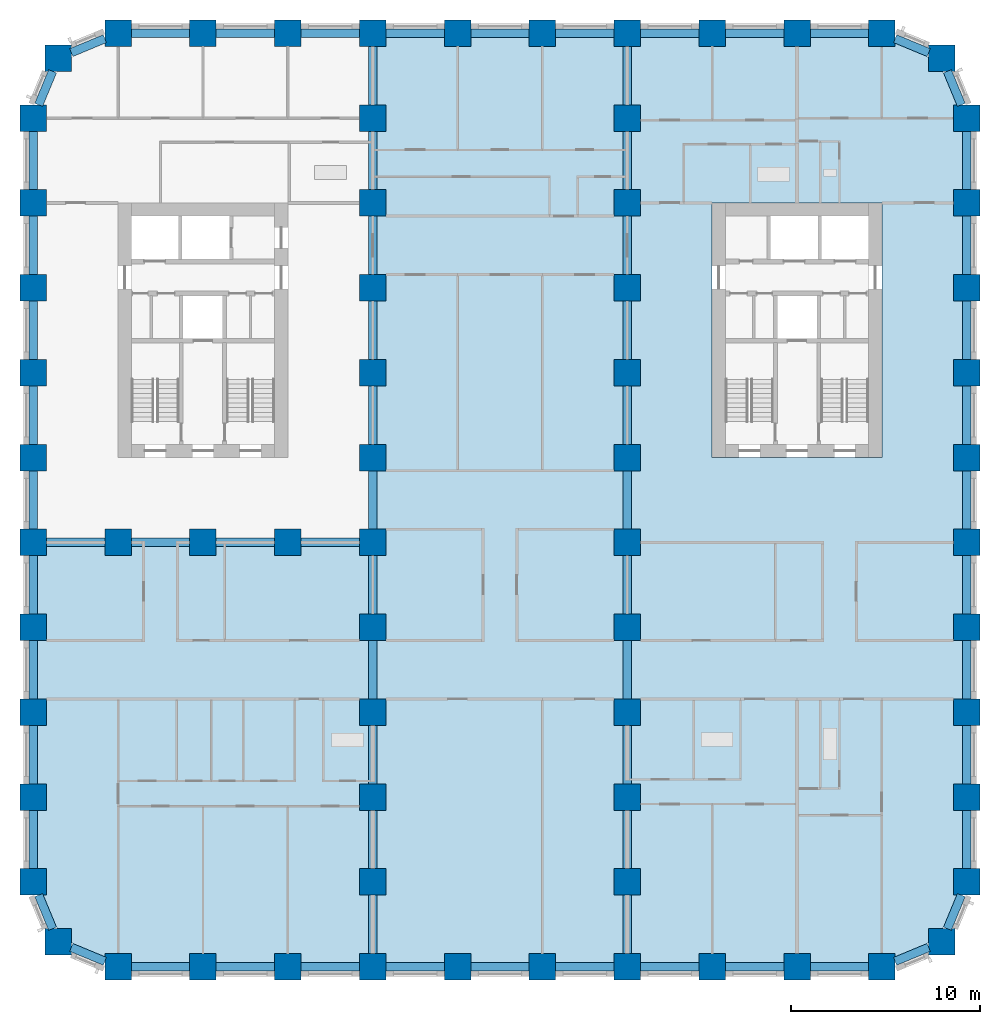
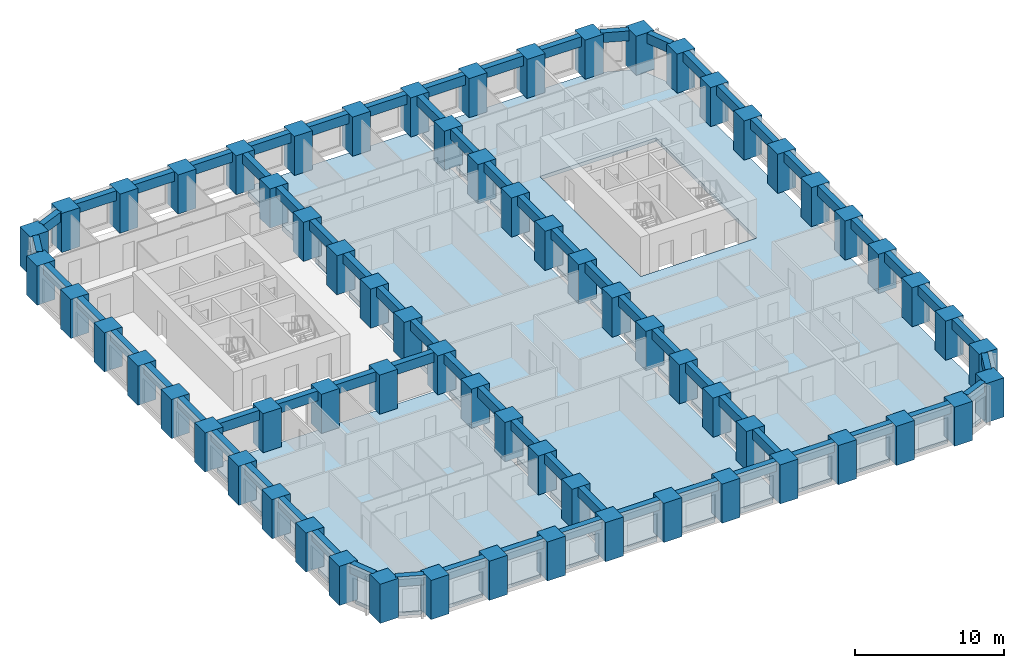
# One storey, part 1 of 13: 70 beams, 67 columns, 3 slabs.
"""IFC4 building model written with IfcOpenShell, lengths in metres."""

from ifc_helpers import new_model, si_unit, direction, frame, origin, origin_2d, place, context, subcontext, project, spatial, polyline, rectangle, outline, extrude, material, layer, layer_set, material_profile, profile_set, type_object, element, save


model = new_model("IFC4")

# Units and contexts
model_context = context("Model", 3, precision=1e-05, world=origin(), true_north=direction((0.0, 1.0)))
body_context = subcontext(model_context, "Body", "Model", "MODEL_VIEW")
ifc_project = project(units=[si_unit("LENGTHUNIT", "METRE"), si_unit("AREAUNIT", "SQUARE_METRE"), si_unit("VOLUMEUNIT", "CUBIC_METRE"), si_unit("PLANEANGLEUNIT", "RADIAN"), si_unit("MASSUNIT", "GRAM", prefix="KILO")], contexts=[model_context])

# Site, building, storey
site_placement = place(None, origin())
site = spatial("IfcSite", under=ifc_project, at=site_placement, CompositionType="ELEMENT")
building_placement = place(site_placement, origin())
building = spatial("IfcBuilding", under=site, at=building_placement, Name="Girih Gate Residences", CompositionType="ELEMENT")
storey_placement = place(building_placement, frame((0.0, 0.0, 40.0)))
storey = spatial("IfcBuildingStorey", under=building, at=storey_placement, Name="L09", CompositionType="ELEMENT", Elevation=40.0)

# Columns
ifc_material_1 = material(Name="Concrete C80/95", Category="concrete")
ifc_material_profile_1 = material_profile(ifc_material_1, rectangle(XDim=1.39990234375, YDim=1.39990234375, at=origin_2d()))
ifc_profile_set_1 = profile_set([ifc_material_profile_1], Name="Concrete C80/95")
column_type = type_object("IfcColumnType", Name="Pier RC 1400x1400 Concrete C80/95", PredefinedType="COLUMN", material=ifc_profile_set_1)
for number, where, z_axis, x_axis, name in (
    (1, (4.5, 0.0, 0.0), (0.0, 0.0, 1.0), (1.0, 0.0, 0.0), "Pier P2A L09"),
    (2, (9.0, 0.0, 0.0), (0.0, 0.0, 1.0), (1.0, 0.0, 0.0), "Pier P3A L09"),
    (3, (13.5, 0.0, 0.0), (0.0, 0.0, 1.0), (1.0, 0.0, 0.0), "Pier P4A L09"),
    (4, (18.0, 0.0, 0.0), (0.0, 0.0, 1.0), (1.0, 0.0, 0.0), "Pier P5A L09"),
    (5, (22.5, 0.0, 0.0), (0.0, 0.0, 1.0), (1.0, 0.0, 0.0), "Pier P6A L09"),
    (6, (27.0, 0.0, 0.0), (0.0, 0.0, 1.0), (1.0, 0.0, 0.0), "Pier P7A L09"),
    (7, (31.5, 0.0, 0.0), (0.0, 0.0, 1.0), (1.0, 0.0, 0.0), "Pier P8A L09"),
    (8, (36.0, 0.0, 0.0), (0.0, 0.0, 1.0), (1.0, 0.0, 0.0), "Pier P9A L09"),
    (9, (40.5, 0.0, 0.0), (0.0, 0.0, 1.0), (1.0, 0.0, 0.0), "Pier P10A L09"),
    (10, (45.0, 0.0, 0.0), (0.0, 0.0, 1.0), (1.0, 0.0, 0.0), "Pier P11A L09"),
    (11, (1.318115234375, 1.318115234375, 0.0), (0.0, 0.0, 1.0), (1.0, 0.0, 0.0), "Pier P1ANE L09"),
    (12, (48.181884765625, 1.318115234375, 0.0), (0.0, 0.0, 1.0), (1.0, 0.0, 0.0), "Pier P12ANW L09"),
    (13, (0.0, 4.5, 0.0), (0.0, 0.0, 1.0), (1.0, 0.0, 0.0), "Pier P1B L09"),
    (14, (18.0, 4.5, 0.0), (0.0, 0.0, 1.0), (1.0, 0.0, 0.0), "Pier P5B L09"),
    (15, (31.5, 4.5, 0.0), (0.0, 0.0, 1.0), (1.0, 0.0, 0.0), "Pier P8B L09"),
    (16, (49.5, 4.5, 0.0), (0.0, 0.0, 1.0), (1.0, 0.0, 0.0), "Pier P12B L09"),
    (17, (0.0, 9.0, 0.0), (0.0, 0.0, 1.0), (1.0, 0.0, 0.0), "Pier P1C L09"),
    (18, (18.0, 9.0, 0.0), (0.0, 0.0, 1.0), (1.0, 0.0, 0.0), "Pier P5C L09"),
    (19, (31.5, 9.0, 0.0), (0.0, 0.0, 1.0), (1.0, 0.0, 0.0), "Pier P8C L09"),
    (20, (49.5, 9.0, 0.0), (0.0, 0.0, 1.0), (1.0, 0.0, 0.0), "Pier P12C L09"),
    (21, (0.0, 13.5, 0.0), (0.0, 0.0, 1.0), (1.0, 0.0, 0.0), "Pier P1D L09"),
    (22, (18.0, 13.5, 0.0), (0.0, 0.0, 1.0), (1.0, 0.0, 0.0), "Pier P5D L09"),
    (23, (31.5, 13.5, 0.0), (0.0, 0.0, 1.0), (1.0, 0.0, 0.0), "Pier P8D L09"),
    (24, (49.5, 13.5, 0.0), (0.0, 0.0, 1.0), (1.0, 0.0, 0.0), "Pier P12D L09"),
    (25, (0.0, 18.0, 0.0), (0.0, 0.0, 1.0), (1.0, 0.0, 0.0), "Pier P1E L09"),
    (26, (18.0, 18.0, 0.0), (0.0, 0.0, 1.0), (1.0, 0.0, 0.0), "Pier P5E L09"),
    (27, (31.5, 18.0, 0.0), (0.0, 0.0, 1.0), (1.0, 0.0, 0.0), "Pier P8E L09"),
    (28, (49.5, 18.0, 0.0), (0.0, 0.0, 1.0), (1.0, 0.0, 0.0), "Pier P12E L09"),
    (29, (0.0, 22.5, 0.0), (0.0, 0.0, 1.0), (1.0, 0.0, 0.0), "Pier P1F L09"),
    (30, (4.5, 22.5, 0.0), (0.0, 0.0, 1.0), (1.0, 0.0, 0.0), "Pier P2F L09"),
    (31, (9.0, 22.5, 0.0), (0.0, 0.0, 1.0), (1.0, 0.0, 0.0), "Pier P3F L09"),
    (32, (13.5, 22.5, 0.0), (0.0, 0.0, 1.0), (1.0, 0.0, 0.0), "Pier P4F L09"),
    (33, (18.0, 22.5, 0.0), (0.0, 0.0, 1.0), (1.0, 0.0, 0.0), "Pier P5F L09"),
    (34, (31.5, 22.5, 0.0), (0.0, 0.0, 1.0), (1.0, 0.0, 0.0), "Pier P8F L09"),
    (35, (49.5, 22.5, 0.0), (0.0, 0.0, 1.0), (1.0, 0.0, 0.0), "Pier P12F L09"),
    (36, (0.0, 27.0, 0.0), (0.0, 0.0, 1.0), (1.0, 0.0, 0.0), "Pier P1G L09"),
    (37, (18.0, 27.0, 0.0), (0.0, 0.0, 1.0), (1.0, 0.0, 0.0), "Pier P5G L09"),
    (38, (31.5, 27.0, 0.0), (0.0, 0.0, 1.0), (1.0, 0.0, 0.0), "Pier P8G L09"),
    (39, (49.5, 27.0, 0.0), (0.0, 0.0, 1.0), (1.0, 0.0, 0.0), "Pier P12G L09"),
    (40, (0.0, 31.5, 0.0), (0.0, 0.0, 1.0), (1.0, 0.0, 0.0), "Pier P1H L09"),
    (41, (18.0, 31.5, 0.0), (0.0, 0.0, 1.0), (1.0, 0.0, 0.0), "Pier P5H L09"),
    (42, (31.5, 31.5, 0.0), (0.0, 0.0, 1.0), (1.0, 0.0, 0.0), "Pier P8H L09"),
    (43, (49.5, 31.5, 0.0), (0.0, 0.0, 1.0), (1.0, 0.0, 0.0), "Pier P12H L09"),
    (44, (0.0, 36.0, 0.0), (0.0, 0.0, 1.0), (1.0, 0.0, 0.0), "Pier P1I L09"),
    (45, (18.0, 36.0, 0.0), (0.0, 0.0, 1.0), (1.0, 0.0, 0.0), "Pier P5I L09"),
    (46, (31.5, 36.0, 0.0), (0.0, 0.0, 1.0), (1.0, 0.0, 0.0), "Pier P8I L09"),
    (47, (49.5, 36.0, 0.0), (0.0, 0.0, 1.0), (1.0, 0.0, 0.0), "Pier P12I L09"),
    (48, (0.0, 40.5, 0.0), (0.0, 0.0, 1.0), (1.0, 0.0, 0.0), "Pier P1J L09"),
    (49, (18.0, 40.5, 0.0), (0.0, 0.0, 1.0), (1.0, 0.0, 0.0), "Pier P5J L09"),
    (50, (31.5, 40.5, 0.0), (0.0, 0.0, 1.0), (1.0, 0.0, 0.0), "Pier P8J L09"),
    (51, (49.5, 40.5, 0.0), (0.0, 0.0, 1.0), (1.0, 0.0, 0.0), "Pier P12J L09"),
    (52, (0.0, 45.0, 0.0), (0.0, 0.0, 1.0), (1.0, 0.0, 0.0), "Pier P1K L09"),
    (53, (18.0, 45.0, 0.0), (0.0, 0.0, 1.0), (1.0, 0.0, 0.0), "Pier P5K L09"),
    (54, (31.5, 45.0, 0.0), (0.0, 0.0, 1.0), (1.0, 0.0, 0.0), "Pier P8K L09"),
    (55, (49.5, 45.0, 0.0), (0.0, 0.0, 1.0), (1.0, 0.0, 0.0), "Pier P12K L09"),
    (56, (1.318115234375, 48.181884765625, 0.0), (0.0, 0.0, 1.0), (1.0, 0.0, 0.0), "Pier P1LSE L09"),
    (57, (48.181884765625, 48.181884765625, 0.0), (0.0, 0.0, 1.0), (1.0, 0.0, 0.0), "Pier P12LSW L09"),
    (58, (4.5, 49.5, 0.0), (0.0, 0.0, 1.0), (1.0, 0.0, 0.0), "Pier P2L L09"),
    (59, (9.0, 49.5, 0.0), (0.0, 0.0, 1.0), (1.0, 0.0, 0.0), "Pier P3L L09"),
    (60, (13.5, 49.5, 0.0), (0.0, 0.0, 1.0), (1.0, 0.0, 0.0), "Pier P4L L09"),
    (61, (18.0, 49.5, 0.0), (0.0, 0.0, 1.0), (1.0, 0.0, 0.0), "Pier P5L L09"),
    (62, (22.5, 49.5, 0.0), (0.0, 0.0, 1.0), (1.0, 0.0, 0.0), "Pier P6L L09"),
    (63, (27.0, 49.5, 0.0), (0.0, 0.0, 1.0), (1.0, 0.0, 0.0), "Pier P7L L09"),
    (64, (31.5, 49.5, 0.0), (0.0, 0.0, 1.0), (1.0, 0.0, 0.0), "Pier P8L L09"),
    (65, (36.0, 49.5, 0.0), (0.0, 0.0, 1.0), (1.0, 0.0, 0.0), "Pier P9L L09"),
    (66, (40.5, 49.5, 0.0), (0.0, 0.0, 1.0), (1.0, 0.0, 0.0), "Pier P10L L09"),
    (67, (45.0, 49.5, 0.0), (0.0, 0.0, 1.0), (1.0, 0.0, 0.0), "Pier P11L L09"),
):
    element("IfcColumn", number, at=place(storey_placement, frame(where, z_axis=z_axis, x_axis=x_axis)), inside=storey, type_object=column_type, Name=name, PredefinedType="COLUMN", context=body_context, shape_type="SweptSolid", body=[
        extrude(rectangle(XDim=1.39990234375, YDim=1.39990234375, at=origin_2d()), origin(), (0.0, 0.0, 1.0), 3.199951171875),
    ])

# Beams
ifc_material_2 = material(Name="Concrete C60/75", Category="concrete")
ifc_material_profile_2 = material_profile(ifc_material_2, rectangle(XDim=0.449951171875, YDim=0.800048828125, at=origin_2d()))
ifc_profile_set_2 = profile_set([ifc_material_profile_2], Name="Concrete C60/75")
beam_type = type_object("IfcBeamType", Name="Spandrel girder RC 450x800 Concrete C60/75", PredefinedType="BEAM", material=ifc_profile_set_2)
for number, where, z_axis, x_axis, name in (
    (68, (0.2900390625, 3.800048828125, 2.800048828125), (0.382646180293, -0.923894961945, 0.0), (0.923894961945, 0.382646180293, 0.0), "Spandrel girder SP-P1B-P1ANE L09"),
    (69, (2.01806640625, 1.028076171875, 2.800048828125), (0.923894961945, -0.382646180293, 0.0), (0.382646180293, 0.923894961945, 0.0), "Spandrel girder SP-P1ANE-P2A L09"),
):
    element("IfcBeam", number, at=place(storey_placement, frame(where, z_axis=z_axis, x_axis=x_axis)), inside=storey, type_object=beam_type, Name=name, PredefinedType="BEAM", context=body_context, shape_type="SweptSolid", body=[
        extrude(rectangle(XDim=0.449951171875, YDim=0.800048828125, at=origin_2d()), origin(), (0.0, 0.0, 1.0), 1.9287109375),
    ])
for number, where, z_axis, x_axis, name in (
    (70, (5.199951171875, 0.0, 2.800048828125), (1.0, 0.0, 0.0), (0.0, 1.0, 0.0), "Spandrel girder SP-P2A-P3A L09"),
    (71, (9.699951171875, 0.0, 2.800048828125), (1.0, 0.0, 0.0), (0.0, 1.0, 0.0), "Spandrel girder SP-P3A-P4A L09"),
    (72, (14.199951171875, 0.0, 2.800048828125), (1.0, 0.0, 0.0), (0.0, 1.0, 0.0), "Spandrel girder SP-P4A-P5A L09"),
    (73, (18.699951171875, 0.0, 2.800048828125), (1.0, 0.0, 0.0), (0.0, 1.0, 0.0), "Spandrel girder SP-P5A-P6A L09"),
    (74, (23.199951171875, 0.0, 2.800048828125), (1.0, 0.0, 0.0), (0.0, 1.0, 0.0), "Spandrel girder SP-P6A-P7A L09"),
    (75, (27.699951171875, 0.0, 2.800048828125), (1.0, 0.0, 0.0), (0.0, 1.0, 0.0), "Spandrel girder SP-P7A-P8A L09"),
    (76, (32.199951171875, 0.0, 2.800048828125), (1.0, 0.0, 0.0), (0.0, 1.0, 0.0), "Spandrel girder SP-P8A-P9A L09"),
    (77, (36.699951171875, 0.0, 2.800048828125), (1.0, 0.0, 0.0), (0.0, 1.0, 0.0), "Spandrel girder SP-P9A-P10A L09"),
    (78, (41.199951171875, 0.0, 2.800048828125), (1.0, 0.0, 0.0), (0.0, 1.0, 0.0), "Spandrel girder SP-P10A-P11A L09"),
):
    element("IfcBeam", number, at=place(storey_placement, frame(where, z_axis=z_axis, x_axis=x_axis)), inside=storey, type_object=beam_type, Name=name, PredefinedType="BEAM", context=body_context, shape_type="SweptSolid", body=[
        extrude(rectangle(XDim=0.449951171875, YDim=0.800048828125, at=origin_2d()), origin(), (0.0, 0.0, 1.0), 3.10009765625),
    ])
for number, where, z_axis, x_axis, name in (
    (79, (45.699951171875, 0.2900390625, 2.800048828125), (0.923894961945, 0.382646180293, 0.0), (-0.382646180293, 0.923894961945, 0.0), "Spandrel girder SP-P11A-P12ANW L09"),
    (80, (48.471923828125, 2.01806640625, 2.800048828125), (0.382646180293, 0.923894961945, 0.0), (-0.923894961945, 0.382646180293, 0.0), "Spandrel girder SP-P12ANW-P12B L09"),
):
    element("IfcBeam", number, at=place(storey_placement, frame(where, z_axis=z_axis, x_axis=x_axis)), inside=storey, type_object=beam_type, Name=name, PredefinedType="BEAM", context=body_context, shape_type="SweptSolid", body=[
        extrude(rectangle(XDim=0.449951171875, YDim=0.800048828125, at=origin_2d()), origin(), (0.0, 0.0, 1.0), 1.9287109375),
    ])
for number, where, z_axis, x_axis, name in (
    (81, (49.5, 5.199951171875, 2.800048828125), (0.0, 1.0, 0.0), (-1.0, 0.0, 0.0), "Spandrel girder SP-P12B-P12C L09"),
    (82, (49.5, 9.699951171875, 2.800048828125), (0.0, 1.0, 0.0), (-1.0, 0.0, 0.0), "Spandrel girder SP-P12C-P12D L09"),
    (83, (49.5, 14.199951171875, 2.800048828125), (0.0, 1.0, 0.0), (-1.0, 0.0, 0.0), "Spandrel girder SP-P12D-P12E L09"),
    (84, (49.5, 18.699951171875, 2.800048828125), (0.0, 1.0, 0.0), (-1.0, 0.0, 0.0), "Spandrel girder SP-P12E-P12F L09"),
    (85, (49.5, 23.199951171875, 2.800048828125), (0.0, 1.0, 0.0), (-1.0, 0.0, 0.0), "Spandrel girder SP-P12F-P12G L09"),
    (86, (49.5, 27.699951171875, 2.800048828125), (0.0, 1.0, 0.0), (-1.0, 0.0, 0.0), "Spandrel girder SP-P12G-P12H L09"),
    (87, (49.5, 32.199951171875, 2.800048828125), (0.0, 1.0, 0.0), (-1.0, 0.0, 0.0), "Spandrel girder SP-P12H-P12I L09"),
    (88, (49.5, 36.699951171875, 2.800048828125), (0.0, 1.0, 0.0), (-1.0, 0.0, 0.0), "Spandrel girder SP-P12I-P12J L09"),
    (89, (49.5, 41.199951171875, 2.800048828125), (0.0, 1.0, 0.0), (-1.0, 0.0, 0.0), "Spandrel girder SP-P12J-P12K L09"),
):
    element("IfcBeam", number, at=place(storey_placement, frame(where, z_axis=z_axis, x_axis=x_axis)), inside=storey, type_object=beam_type, Name=name, PredefinedType="BEAM", context=body_context, shape_type="SweptSolid", body=[
        extrude(rectangle(XDim=0.449951171875, YDim=0.800048828125, at=origin_2d()), origin(), (0.0, 0.0, 1.0), 3.10009765625),
    ])
for number, where, z_axis, x_axis, name in (
    (90, (49.2099609375, 45.699951171875, 2.800048828125), (-0.382646180293, 0.923894961945, 0.0), (-0.923894961945, -0.382646180293, 0.0), "Spandrel girder SP-P12K-P12LSW L09"),
    (91, (47.48193359375, 48.471923828125, 2.800048828125), (-0.923894961945, 0.382646180293, 0.0), (-0.382646180293, -0.923894961945, 0.0), "Spandrel girder SP-P12LSW-P11L L09"),
):
    element("IfcBeam", number, at=place(storey_placement, frame(where, z_axis=z_axis, x_axis=x_axis)), inside=storey, type_object=beam_type, Name=name, PredefinedType="BEAM", context=body_context, shape_type="SweptSolid", body=[
        extrude(rectangle(XDim=0.449951171875, YDim=0.800048828125, at=origin_2d()), origin(), (0.0, 0.0, 1.0), 1.9287109375),
    ])
for number, where, z_axis, x_axis, name in (
    (92, (44.300048828125, 49.5, 2.800048828125), (-1.0, 0.0, 0.0), (0.0, -1.0, 0.0), "Spandrel girder SP-P11L-P10L L09"),
    (93, (39.800048828125, 49.5, 2.800048828125), (-1.0, 0.0, 0.0), (0.0, -1.0, 0.0), "Spandrel girder SP-P10L-P9L L09"),
    (94, (35.300048828125, 49.5, 2.800048828125), (-1.0, 0.0, 0.0), (0.0, -1.0, 0.0), "Spandrel girder SP-P9L-P8L L09"),
    (95, (30.800048828125, 49.5, 2.800048828125), (-1.0, 0.0, 0.0), (0.0, -1.0, 0.0), "Spandrel girder SP-P8L-P7L L09"),
    (96, (26.300048828125, 49.5, 2.800048828125), (-1.0, 0.0, 0.0), (0.0, -1.0, 0.0), "Spandrel girder SP-P7L-P6L L09"),
    (97, (21.800048828125, 49.5, 2.800048828125), (-1.0, 0.0, 0.0), (0.0, -1.0, 0.0), "Spandrel girder SP-P6L-P5L L09"),
    (98, (17.300048828125, 49.5, 2.800048828125), (-1.0, 0.0, 0.0), (0.0, -1.0, 0.0), "Spandrel girder SP-P5L-P4L L09"),
    (99, (12.800048828125, 49.5, 2.800048828125), (-1.0, 0.0, 0.0), (0.0, -1.0, 0.0), "Spandrel girder SP-P4L-P3L L09"),
    (100, (8.300048828125, 49.5, 2.800048828125), (-1.0, 0.0, 0.0), (0.0, -1.0, 0.0), "Spandrel girder SP-P3L-P2L L09"),
):
    element("IfcBeam", number, at=place(storey_placement, frame(where, z_axis=z_axis, x_axis=x_axis)), inside=storey, type_object=beam_type, Name=name, PredefinedType="BEAM", context=body_context, shape_type="SweptSolid", body=[
        extrude(rectangle(XDim=0.449951171875, YDim=0.800048828125, at=origin_2d()), origin(), (0.0, 0.0, 1.0), 3.10009765625),
    ])
for number, where, z_axis, x_axis, name in (
    (101, (3.800048828125, 49.2099609375, 2.800048828125), (-0.923894961945, -0.382646180293, 0.0), (0.382646180293, -0.923894961945, 0.0), "Spandrel girder SP-P2L-P1LSE L09"),
    (102, (1.028076171875, 47.48193359375, 2.800048828125), (-0.382646180293, -0.923894961945, 0.0), (0.923894961945, -0.382646180293, 0.0), "Spandrel girder SP-P1LSE-P1K L09"),
):
    element("IfcBeam", number, at=place(storey_placement, frame(where, z_axis=z_axis, x_axis=x_axis)), inside=storey, type_object=beam_type, Name=name, PredefinedType="BEAM", context=body_context, shape_type="SweptSolid", body=[
        extrude(rectangle(XDim=0.449951171875, YDim=0.800048828125, at=origin_2d()), origin(), (0.0, 0.0, 1.0), 1.9287109375),
    ])
for number, where, z_axis, x_axis, name in (
    (103, (0.0, 44.300048828125, 2.800048828125), (0.0, -1.0, 0.0), (1.0, 0.0, 0.0), "Spandrel girder SP-P1K-P1J L09"),
    (104, (0.0, 39.800048828125, 2.800048828125), (0.0, -1.0, 0.0), (1.0, 0.0, 0.0), "Spandrel girder SP-P1J-P1I L09"),
    (105, (0.0, 35.300048828125, 2.800048828125), (0.0, -1.0, 0.0), (1.0, 0.0, 0.0), "Spandrel girder SP-P1I-P1H L09"),
    (106, (0.0, 30.800048828125, 2.800048828125), (0.0, -1.0, 0.0), (1.0, 0.0, 0.0), "Spandrel girder SP-P1H-P1G L09"),
    (107, (0.0, 26.300048828125, 2.800048828125), (0.0, -1.0, 0.0), (1.0, 0.0, 0.0), "Spandrel girder SP-P1G-P1F L09"),
    (108, (0.0, 21.800048828125, 2.800048828125), (0.0, -1.0, 0.0), (1.0, 0.0, 0.0), "Spandrel girder SP-P1F-P1E L09"),
    (109, (0.0, 17.300048828125, 2.800048828125), (0.0, -1.0, 0.0), (1.0, 0.0, 0.0), "Spandrel girder SP-P1E-P1D L09"),
    (110, (0.0, 12.800048828125, 2.800048828125), (0.0, -1.0, 0.0), (1.0, 0.0, 0.0), "Spandrel girder SP-P1D-P1C L09"),
    (111, (0.0, 8.300048828125, 2.800048828125), (0.0, -1.0, 0.0), (1.0, 0.0, 0.0), "Spandrel girder SP-P1C-P1B L09"),
    (112, (18.0, 0.699951171875, 2.800048828125), (0.0, 1.0, 0.0), (-1.0, 0.0, 0.0), "Spandrel girder SP-P5A-P5B L09"),
    (113, (18.0, 5.199951171875, 2.800048828125), (0.0, 1.0, 0.0), (-1.0, 0.0, 0.0), "Spandrel girder SP-P5B-P5C L09"),
    (114, (18.0, 9.699951171875, 2.800048828125), (0.0, 1.0, 0.0), (-1.0, 0.0, 0.0), "Spandrel girder SP-P5C-P5D L09"),
    (115, (18.0, 14.199951171875, 2.800048828125), (0.0, 1.0, 0.0), (-1.0, 0.0, 0.0), "Spandrel girder SP-P5D-P5E L09"),
    (116, (18.0, 18.699951171875, 2.800048828125), (0.0, 1.0, 0.0), (-1.0, 0.0, 0.0), "Spandrel girder SP-P5E-P5F L09"),
    (117, (18.0, 23.199951171875, 2.800048828125), (0.0, 1.0, 0.0), (-1.0, 0.0, 0.0), "Spandrel girder SP-P5F-P5G L09"),
    (118, (18.0, 27.699951171875, 2.800048828125), (0.0, 1.0, 0.0), (-1.0, 0.0, 0.0), "Spandrel girder SP-P5G-P5H L09"),
    (119, (18.0, 32.199951171875, 2.800048828125), (0.0, 1.0, 0.0), (-1.0, 0.0, 0.0), "Spandrel girder SP-P5H-P5I L09"),
    (120, (18.0, 36.699951171875, 2.800048828125), (0.0, 1.0, 0.0), (-1.0, 0.0, 0.0), "Spandrel girder SP-P5I-P5J L09"),
    (121, (18.0, 41.199951171875, 2.800048828125), (0.0, 1.0, 0.0), (-1.0, 0.0, 0.0), "Spandrel girder SP-P5J-P5K L09"),
    (122, (18.0, 45.699951171875, 2.800048828125), (0.0, 1.0, 0.0), (-1.0, 0.0, 0.0), "Spandrel girder SP-P5K-P5L L09"),
    (123, (31.5, 0.699951171875, 2.800048828125), (0.0, 1.0, 0.0), (-1.0, 0.0, 0.0), "Spandrel girder SP-P8A-P8B L09"),
    (124, (31.5, 5.199951171875, 2.800048828125), (0.0, 1.0, 0.0), (-1.0, 0.0, 0.0), "Spandrel girder SP-P8B-P8C L09"),
    (125, (31.5, 9.699951171875, 2.800048828125), (0.0, 1.0, 0.0), (-1.0, 0.0, 0.0), "Spandrel girder SP-P8C-P8D L09"),
    (126, (31.5, 14.199951171875, 2.800048828125), (0.0, 1.0, 0.0), (-1.0, 0.0, 0.0), "Spandrel girder SP-P8D-P8E L09"),
    (127, (31.5, 18.699951171875, 2.800048828125), (0.0, 1.0, 0.0), (-1.0, 0.0, 0.0), "Spandrel girder SP-P8E-P8F L09"),
    (128, (31.5, 23.199951171875, 2.800048828125), (0.0, 1.0, 0.0), (-1.0, 0.0, 0.0), "Spandrel girder SP-P8F-P8G L09"),
    (129, (31.5, 27.699951171875, 2.800048828125), (0.0, 1.0, 0.0), (-1.0, 0.0, 0.0), "Spandrel girder SP-P8G-P8H L09"),
    (130, (31.5, 32.199951171875, 2.800048828125), (0.0, 1.0, 0.0), (-1.0, 0.0, 0.0), "Spandrel girder SP-P8H-P8I L09"),
    (131, (31.5, 36.699951171875, 2.800048828125), (0.0, 1.0, 0.0), (-1.0, 0.0, 0.0), "Spandrel girder SP-P8I-P8J L09"),
    (132, (31.5, 41.199951171875, 2.800048828125), (0.0, 1.0, 0.0), (-1.0, 0.0, 0.0), "Spandrel girder SP-P8J-P8K L09"),
    (133, (31.5, 45.699951171875, 2.800048828125), (0.0, 1.0, 0.0), (-1.0, 0.0, 0.0), "Spandrel girder SP-P8K-P8L L09"),
    (134, (0.699951171875, 22.5, 2.800048828125), (1.0, 0.0, 0.0), (0.0, 1.0, 0.0), "Spandrel girder SP-P1F-P2F L09"),
    (135, (5.199951171875, 22.5, 2.800048828125), (1.0, 0.0, 0.0), (0.0, 1.0, 0.0), "Spandrel girder SP-P2F-P3F L09"),
    (136, (9.699951171875, 22.5, 2.800048828125), (1.0, 0.0, 0.0), (0.0, 1.0, 0.0), "Spandrel girder SP-P3F-P4F L09"),
    (137, (14.199951171875, 22.5, 2.800048828125), (1.0, 0.0, 0.0), (0.0, 1.0, 0.0), "Spandrel girder SP-P4F-P5F L09"),
):
    element("IfcBeam", number, at=place(storey_placement, frame(where, z_axis=z_axis, x_axis=x_axis)), inside=storey, type_object=beam_type, Name=name, PredefinedType="BEAM", context=body_context, shape_type="SweptSolid", body=[
        extrude(rectangle(XDim=0.449951171875, YDim=0.800048828125, at=origin_2d()), origin(), (0.0, 0.0, 1.0), 3.10009765625),
    ])

# Slabs
ifc_material_3 = material(Name="Concrete C40/50", Category="concrete")
ifc_layer_1 = layer(ifc_material_3, 0.300048828125)
ifc_layer_set_1 = layer_set([ifc_layer_1], Name="Floor slab PT 300 Concrete C40/50")
slab_type_1 = type_object("IfcSlabType", Name="Floor slab PT 300 Concrete C40/50", PredefinedType="FLOOR", material=ifc_layer_set_1)
slab_1_placement = place(storey_placement, frame((0.0, 0.0, -0.300048828125)))
element("IfcSlab", 138, at=slab_1_placement, inside=storey, type_object=slab_type_1, Name="Floor slab L09 0", PredefinedType="FLOOR", context=body_context, shape_type="SweptSolid", body=[
    extrude(outline(polyline([(0.22509765625, 8.300048828125), (0.22509765625, 5.199951171875), (0.699951171875, 5.199951171875), (0.699951171875, 3.800048828125), (0.533447265625, 3.800048828125), (1.271728515625, 2.01806640625), (2.01806640625, 2.01806640625), (2.01806640625, 1.271728515625), (3.800048828125, 0.533447265625), (3.800048828125, 0.699951171875), (5.199951171875, 0.699951171875), (5.199951171875, 0.22509765625), (8.300048828125, 0.22509765625), (8.300048828125, 0.699951171875), (9.699951171875, 0.699951171875), (9.699951171875, 0.22509765625), (12.800048828125, 0.22509765625), (12.800048828125, 0.699951171875), (14.199951171875, 0.699951171875), (14.199951171875, 0.22509765625), (17.300048828125, 0.22509765625), (17.300048828125, 0.699951171875), (17.77490234375, 0.699951171875), (17.77490234375, 3.800048828125), (17.300048828125, 3.800048828125), (17.300048828125, 5.199951171875), (17.77490234375, 5.199951171875), (17.77490234375, 8.300048828125), (17.300048828125, 8.300048828125), (17.300048828125, 9.699951171875), (17.77490234375, 9.699951171875), (17.77490234375, 12.800048828125), (17.300048828125, 12.800048828125), (17.300048828125, 14.199951171875), (17.77490234375, 14.199951171875), (17.77490234375, 17.300048828125), (17.300048828125, 17.300048828125), (17.300048828125, 18.699951171875), (17.77490234375, 18.699951171875), (17.77490234375, 21.800048828125), (17.300048828125, 21.800048828125), (17.300048828125, 22.27490234375), (14.199951171875, 22.27490234375), (14.199951171875, 21.800048828125), (12.800048828125, 21.800048828125), (12.800048828125, 22.27490234375), (9.699951171875, 22.27490234375), (9.699951171875, 21.800048828125), (8.300048828125, 21.800048828125), (8.300048828125, 22.27490234375), (5.199951171875, 22.27490234375), (5.199951171875, 21.800048828125), (3.800048828125, 21.800048828125), (3.800048828125, 22.27490234375), (0.699951171875, 22.27490234375), (0.699951171875, 21.800048828125), (0.22509765625, 21.800048828125), (0.22509765625, 18.699951171875), (0.699951171875, 18.699951171875), (0.699951171875, 17.300048828125), (0.22509765625, 17.300048828125), (0.22509765625, 14.199951171875), (0.699951171875, 14.199951171875), (0.699951171875, 12.800048828125), (0.22509765625, 12.800048828125), (0.22509765625, 9.699951171875), (0.699951171875, 9.699951171875), (0.699951171875, 8.300048828125), (0.22509765625, 8.300048828125)])), origin(), (0.0, 0.0, 1.0), 0.300048828125),
])
slab_2_placement = place(storey_placement, frame((0.0, 0.0, -0.300048828125)))
element("IfcSlab", 139, at=slab_2_placement, inside=storey, type_object=slab_type_1, Name="Floor slab L09 1", PredefinedType="FLOOR", context=body_context, shape_type="SweptSolid", body=[
    extrude(outline(polyline([(35.300048828125, 49.27490234375), (32.199951171875, 49.27490234375), (32.199951171875, 48.800048828125), (31.72509765625, 48.800048828125), (31.72509765625, 45.699951171875), (32.199951171875, 45.699951171875), (32.199951171875, 44.300048828125), (31.72509765625, 44.300048828125), (31.72509765625, 41.199951171875), (32.199951171875, 41.199951171875), (32.199951171875, 39.800048828125), (31.72509765625, 39.800048828125), (31.72509765625, 36.699951171875), (32.199951171875, 36.699951171875), (32.199951171875, 35.300048828125), (31.72509765625, 35.300048828125), (31.72509765625, 32.199951171875), (32.199951171875, 32.199951171875), (32.199951171875, 30.800048828125), (31.72509765625, 30.800048828125), (31.72509765625, 27.699951171875), (32.199951171875, 27.699951171875), (32.199951171875, 26.300048828125), (31.72509765625, 26.300048828125), (31.72509765625, 23.199951171875), (32.199951171875, 23.199951171875), (32.199951171875, 21.800048828125), (31.72509765625, 21.800048828125), (31.72509765625, 18.699951171875), (32.199951171875, 18.699951171875), (32.199951171875, 17.300048828125), (31.72509765625, 17.300048828125), (31.72509765625, 14.199951171875), (32.199951171875, 14.199951171875), (32.199951171875, 12.800048828125), (31.72509765625, 12.800048828125), (31.72509765625, 9.699951171875), (32.199951171875, 9.699951171875), (32.199951171875, 8.300048828125), (31.72509765625, 8.300048828125), (31.72509765625, 5.199951171875), (32.199951171875, 5.199951171875), (32.199951171875, 3.800048828125), (31.72509765625, 3.800048828125), (31.72509765625, 0.699951171875), (32.199951171875, 0.699951171875), (32.199951171875, 0.22509765625), (35.300048828125, 0.22509765625), (35.300048828125, 0.699951171875), (36.699951171875, 0.699951171875), (36.699951171875, 0.22509765625), (39.800048828125, 0.22509765625), (39.800048828125, 0.699951171875), (41.199951171875, 0.699951171875), (41.199951171875, 0.22509765625), (44.300048828125, 0.22509765625), (44.300048828125, 0.699951171875), (45.699951171875, 0.699951171875), (45.699951171875, 0.533447265625), (47.48193359375, 1.271728515625), (47.48193359375, 2.01806640625), (48.228271484375, 2.01806640625), (48.966552734375, 3.800048828125), (48.800048828125, 3.800048828125), (48.800048828125, 5.199951171875), (49.27490234375, 5.199951171875), (49.27490234375, 8.300048828125), (48.800048828125, 8.300048828125), (48.800048828125, 9.699951171875), (49.27490234375, 9.699951171875), (49.27490234375, 12.800048828125), (48.800048828125, 12.800048828125), (48.800048828125, 14.199951171875), (49.27490234375, 14.199951171875), (49.27490234375, 17.300048828125), (48.800048828125, 17.300048828125), (48.800048828125, 18.699951171875), (49.27490234375, 18.699951171875), (49.27490234375, 21.800048828125), (48.800048828125, 21.800048828125), (48.800048828125, 23.199951171875), (49.27490234375, 23.199951171875), (49.27490234375, 26.300048828125), (48.800048828125, 26.300048828125), (48.800048828125, 27.699951171875), (49.27490234375, 27.699951171875), (49.27490234375, 30.800048828125), (48.800048828125, 30.800048828125), (48.800048828125, 32.199951171875), (49.27490234375, 32.199951171875), (49.27490234375, 35.300048828125), (48.800048828125, 35.300048828125), (48.800048828125, 36.699951171875), (49.27490234375, 36.699951171875), (49.27490234375, 39.800048828125), (48.800048828125, 39.800048828125), (48.800048828125, 41.199951171875), (49.27490234375, 41.199951171875), (49.27490234375, 44.300048828125), (48.800048828125, 44.300048828125), (48.800048828125, 45.699951171875), (48.966552734375, 45.699951171875), (48.228271484375, 47.48193359375), (47.48193359375, 47.48193359375), (47.48193359375, 48.228271484375), (45.699951171875, 48.966552734375), (45.699951171875, 48.800048828125), (44.300048828125, 48.800048828125), (44.300048828125, 49.27490234375), (41.199951171875, 49.27490234375), (41.199951171875, 48.800048828125), (39.800048828125, 48.800048828125), (39.800048828125, 49.27490234375), (36.699951171875, 49.27490234375), (36.699951171875, 48.800048828125), (35.300048828125, 48.800048828125), (35.300048828125, 49.27490234375)]), holes=[polyline([(45.0, 40.5), (45.0, 27.0), (36.0, 27.0), (36.0, 40.5), (45.0, 40.5)])]), origin(), (0.0, 0.0, 1.0), 0.300048828125),
])
ifc_layer_2 = layer(ifc_material_3, 0.449951171875)
ifc_layer_set_2 = layer_set([ifc_layer_2], Name="Floor slab PT 450 Concrete C40/50")
slab_type_2 = type_object("IfcSlabType", Name="Floor slab PT 450 Concrete C40/50", PredefinedType="FLOOR", material=ifc_layer_set_2)
slab_3_placement = place(storey_placement, frame((0.0, 0.0, -0.449951171875)))
element("IfcSlab", 140, at=slab_3_placement, inside=storey, type_object=slab_type_2, Name="Floor slab L09 2", PredefinedType="FLOOR", context=body_context, shape_type="SweptSolid", body=[
    extrude(outline(polyline([(21.800048828125, 49.27490234375), (18.699951171875, 49.27490234375), (18.699951171875, 48.800048828125), (18.22509765625, 48.800048828125), (18.22509765625, 45.699951171875), (18.699951171875, 45.699951171875), (18.699951171875, 44.300048828125), (18.22509765625, 44.300048828125), (18.22509765625, 41.199951171875), (18.699951171875, 41.199951171875), (18.699951171875, 39.800048828125), (18.22509765625, 39.800048828125), (18.22509765625, 36.699951171875), (18.699951171875, 36.699951171875), (18.699951171875, 35.300048828125), (18.22509765625, 35.300048828125), (18.22509765625, 32.199951171875), (18.699951171875, 32.199951171875), (18.699951171875, 30.800048828125), (18.22509765625, 30.800048828125), (18.22509765625, 27.699951171875), (18.699951171875, 27.699951171875), (18.699951171875, 26.300048828125), (18.22509765625, 26.300048828125), (18.22509765625, 23.199951171875), (18.699951171875, 23.199951171875), (18.699951171875, 21.800048828125), (18.22509765625, 21.800048828125), (18.22509765625, 18.699951171875), (18.699951171875, 18.699951171875), (18.699951171875, 17.300048828125), (18.22509765625, 17.300048828125), (18.22509765625, 14.199951171875), (18.699951171875, 14.199951171875), (18.699951171875, 12.800048828125), (18.22509765625, 12.800048828125), (18.22509765625, 9.699951171875), (18.699951171875, 9.699951171875), (18.699951171875, 8.300048828125), (18.22509765625, 8.300048828125), (18.22509765625, 5.199951171875), (18.699951171875, 5.199951171875), (18.699951171875, 3.800048828125), (18.22509765625, 3.800048828125), (18.22509765625, 0.699951171875), (18.699951171875, 0.699951171875), (18.699951171875, 0.22509765625), (21.800048828125, 0.22509765625), (21.800048828125, 0.699951171875), (23.199951171875, 0.699951171875), (23.199951171875, 0.22509765625), (26.300048828125, 0.22509765625), (26.300048828125, 0.699951171875), (27.699951171875, 0.699951171875), (27.699951171875, 0.22509765625), (30.800048828125, 0.22509765625), (30.800048828125, 0.699951171875), (31.27490234375, 0.699951171875), (31.27490234375, 3.800048828125), (30.800048828125, 3.800048828125), (30.800048828125, 5.199951171875), (31.27490234375, 5.199951171875), (31.27490234375, 8.300048828125), (30.800048828125, 8.300048828125), (30.800048828125, 9.699951171875), (31.27490234375, 9.699951171875), (31.27490234375, 12.800048828125), (30.800048828125, 12.800048828125), (30.800048828125, 14.199951171875), (31.27490234375, 14.199951171875), (31.27490234375, 17.300048828125), (30.800048828125, 17.300048828125), (30.800048828125, 18.699951171875), (31.27490234375, 18.699951171875), (31.27490234375, 21.800048828125), (30.800048828125, 21.800048828125), (30.800048828125, 23.199951171875), (31.27490234375, 23.199951171875), (31.27490234375, 26.300048828125), (30.800048828125, 26.300048828125), (30.800048828125, 27.699951171875), (31.27490234375, 27.699951171875), (31.27490234375, 30.800048828125), (30.800048828125, 30.800048828125), (30.800048828125, 32.199951171875), (31.27490234375, 32.199951171875), (31.27490234375, 35.300048828125), (30.800048828125, 35.300048828125), (30.800048828125, 36.699951171875), (31.27490234375, 36.699951171875), (31.27490234375, 39.800048828125), (30.800048828125, 39.800048828125), (30.800048828125, 41.199951171875), (31.27490234375, 41.199951171875), (31.27490234375, 44.300048828125), (30.800048828125, 44.300048828125), (30.800048828125, 45.699951171875), (31.27490234375, 45.699951171875), (31.27490234375, 48.800048828125), (30.800048828125, 48.800048828125), (30.800048828125, 49.27490234375), (27.699951171875, 49.27490234375), (27.699951171875, 48.800048828125), (26.300048828125, 48.800048828125), (26.300048828125, 49.27490234375), (23.199951171875, 49.27490234375), (23.199951171875, 48.800048828125), (21.800048828125, 48.800048828125), (21.800048828125, 49.27490234375)])), origin(), (0.0, 0.0, 1.0), 0.449951171875),
])

save(model, "model.ifc")
